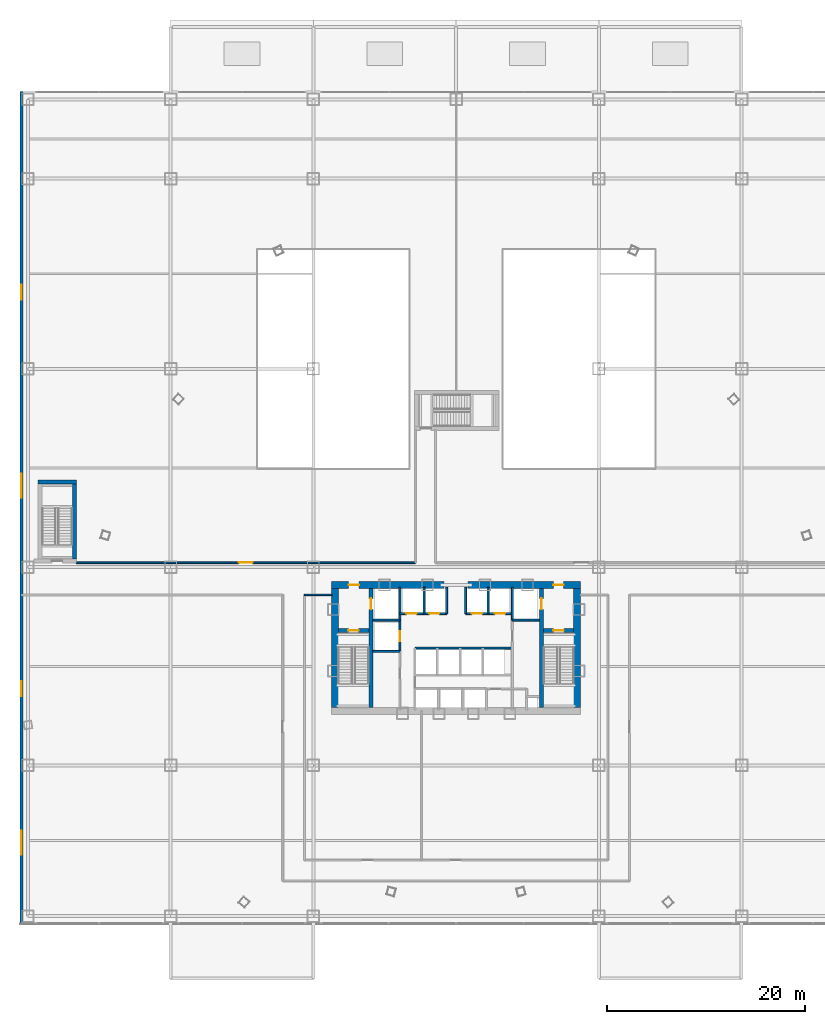
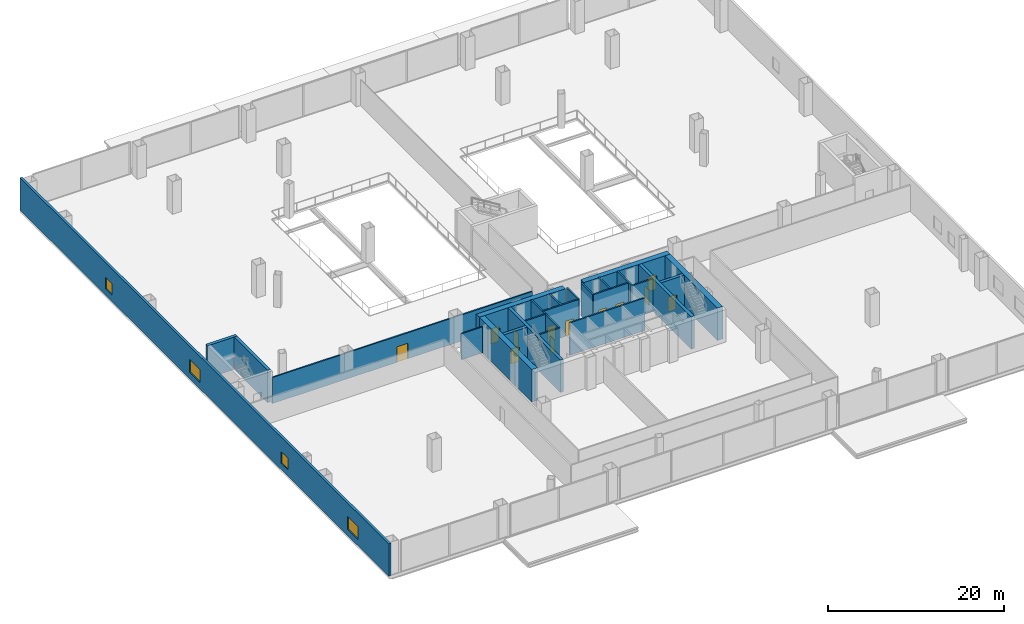
# One storey, part 34 of 42: 25 walls, 12 doors, 4 windows, 16 openings.
"""IFC4 building model written with IfcOpenShell, lengths in metres."""

import ifcopenshell
import ifcopenshell.guid

model = None  # the IFC model being written
_history = None  # IfcOwnerHistory: only IFC2X3 demands one
_inside = {}  # id of a spatial element -> (the spatial element, [elements in it])
_under = {}  # id of a project, library or spatial element -> (it, [spatial elements below it])
_declared = {}  # id of a project -> (the project, [libraries it declares])
_typed = {}  # id of a type object -> (the type object, [elements of that type])
_made_of = {}  # id of a material, layer set ... -> (it, [elements and type objects made of it])


def new_model(schema):
    """Start an empty IFC model of exactly this schema.

    Asked for "IFC4X3", IfcOpenShell would pick the latest addendum, in which some entities
    have other attributes; the version numbers below select the first issue.
    IFC2X3 requires an IfcOwnerHistory on every rooted entity: one is made here for all.
    """
    global model, _history
    if schema == "IFC4X3":
        model = ifcopenshell.file(schema_version=(4, 3, 0, 0))
    else:
        model = ifcopenshell.file(schema=schema)
    _inside.clear()
    _under.clear()
    _declared.clear()
    _typed.clear()
    _made_of.clear()
    _history = None
    if model.schema == "IFC2X3":
        org = make("IfcOrganization", Name="unknown")
        user = make(
            "IfcPersonAndOrganization",
            ThePerson=make("IfcPerson", FamilyName="unknown"),
            TheOrganization=org,
        )
        app = make(
            "IfcApplication",
            ApplicationDeveloper=org,
            Version="unknown",
            ApplicationFullName="unknown",
            ApplicationIdentifier="unknown",
        )
        _history = make(
            "IfcOwnerHistory",
            OwningUser=user,
            OwningApplication=app,
            ChangeAction="ADDED",
            CreationDate=0,
        )
    return model


def make(cls, **values):
    """One entity of the class cls with the attributes given. An attribute that is None is left unset."""
    return model.create_entity(
        cls, **{name: value for name, value in values.items() if value is not None}
    )


def rooted(cls, **values):
    """An entity with a GlobalId (a new one), such as an element, a storey or a relation."""
    return make(cls, GlobalId=ifcopenshell.guid.new(), OwnerHistory=_history, **values)


def si_unit(unit_type, name, prefix=None):
    """IfcSIUnit, for example si_unit("LENGTHUNIT", "METRE", prefix="MILLI")."""
    return make("IfcSIUnit", UnitType=unit_type, Prefix=prefix, Name=name)


def assignment(units):
    """IfcUnitAssignment: the units of a project."""
    return None if units is None else make("IfcUnitAssignment", Units=units)


def point(xyz):
    """IfcCartesianPoint."""
    return None if xyz is None else make("IfcCartesianPoint", Coordinates=xyz)


def direction(xyz):
    """IfcDirection."""
    return None if xyz is None else make("IfcDirection", DirectionRatios=xyz)


def frame(location, z_axis=None, x_axis=None):
    """IfcAxis2Placement3D, a coordinate frame: its origin and axes. An axis left out is left unset."""
    return make(
        "IfcAxis2Placement3D",
        Location=point(location),
        Axis=direction(z_axis),
        RefDirection=direction(x_axis),
    )


def frame_2d(location, x_axis=None):
    """IfcAxis2Placement2D, a coordinate frame in the plane: its origin and x axis."""
    return make(
        "IfcAxis2Placement2D", Location=point(location), RefDirection=direction(x_axis)
    )


def origin():
    """The frame at (0, 0, 0) with its axes left unset."""
    return frame((0.0, 0.0, 0.0))


def origin_with_axes():
    """The frame at (0, 0, 0) with the z axis (0, 0, 1) and the x axis (1, 0, 0) written out."""
    return frame((0.0, 0.0, 0.0), z_axis=(0.0, 0.0, 1.0), x_axis=(1.0, 0.0, 0.0))


def place(relative_to, where):
    """IfcLocalPlacement: puts the frame where relative to a parent placement (None: the world)."""
    return make(
        "IfcLocalPlacement", PlacementRelTo=relative_to, RelativePlacement=where
    )


def context(
    kind, dimensions, precision=None, world=None, true_north=None, identifier=None
):
    """IfcGeometricRepresentationContext, for example the 3D "Model" context."""
    return make(
        "IfcGeometricRepresentationContext",
        ContextIdentifier=identifier,
        ContextType=kind,
        CoordinateSpaceDimension=dimensions,
        Precision=precision,
        WorldCoordinateSystem=world,
        TrueNorth=true_north,
    )


def subcontext(parent, identifier, kind, view, scale=None):
    """IfcGeometricRepresentationSubContext, for example "Body" below "Model"."""
    return make(
        "IfcGeometricRepresentationSubContext",
        ContextIdentifier=identifier,
        ContextType=kind,
        ParentContext=parent,
        TargetScale=scale,
        TargetView=view,
    )


def project(units=None, contexts=None):
    """IfcProject with its units and contexts."""
    return rooted(
        "IfcProject",
        Name="project",
        RepresentationContexts=contexts,
        UnitsInContext=assignment(units),
    )


def spatial(cls, under=None, at=None, **own):
    """A site, building, storey or space (cls), placed at a placement, below another one or the project."""
    s = rooted(cls, ObjectPlacement=at, **own)
    if under is not None:
        _under.setdefault(under.id(), (under, []))[1].append(s)
    return s


def profile(cls, at=None, kind="AREA", **sizes):
    """A parametric profile (cls). Its sizes go by their IFC names, for example OverallWidth=200.0."""
    return make(cls, ProfileType=kind, Position=at, **sizes)


def rectangle(**sizes):
    """IfcRectangleProfileDef."""
    return profile("IfcRectangleProfileDef", **sizes)


def extrude(swept, where, along, depth):
    """IfcExtrudedAreaSolid: the profile swept, set in the frame where, extruded along a direction by depth."""
    return make(
        "IfcExtrudedAreaSolid",
        SweptArea=swept,
        Position=where,
        ExtrudedDirection=direction(along),
        Depth=depth,
    )


def shape(context_of_items, identifier, shape_type, items):
    """IfcShapeRepresentation: the items that make up one representation, for example the "Body"."""
    return make(
        "IfcShapeRepresentation",
        ContextOfItems=context_of_items,
        RepresentationIdentifier=identifier,
        RepresentationType=shape_type,
        Items=items,
    )


def source(mapping_origin, context_of_items, identifier, shape_type, items):
    """IfcRepresentationMap: a shape defined once, which mapped items show again and again."""
    return make(
        "IfcRepresentationMap",
        MappingOrigin=mapping_origin,
        MappedRepresentation=shape(context_of_items, identifier, shape_type, items),
    )


def transform(
    local_origin,
    x_axis=None,
    y_axis=None,
    z_axis=None,
    scale=None,
    scale2=None,
    scale3=None,
    uniform=True,
):
    """IfcCartesianTransformationOperator3D, or its non-uniform kind. x_axis, y_axis, z_axis: its Axis1, 2, 3."""
    if uniform:
        return make(
            "IfcCartesianTransformationOperator3D",
            Axis1=direction(x_axis),
            Axis2=direction(y_axis),
            LocalOrigin=point(local_origin),
            Scale=scale,
            Axis3=direction(z_axis),
        )
    return make(
        "IfcCartesianTransformationOperator3DnonUniform",
        Axis1=direction(x_axis),
        Axis2=direction(y_axis),
        LocalOrigin=point(local_origin),
        Scale=scale,
        Axis3=direction(z_axis),
        Scale2=scale2,
        Scale3=scale3,
    )


def mapped(mapping_source, mapping_target):
    """IfcMappedItem: shows the shape of a source again, moved by a transform."""
    return make(
        "IfcMappedItem", MappingSource=mapping_source, MappingTarget=mapping_target
    )


def material(Name=None, Category=None):
    """IfcMaterial."""
    return make("IfcMaterial", Name=Name, Category=Category)


def layer(
    of_material, thickness, ventilated=None, Name=None, Category=None, Priority=None
):
    """IfcMaterialLayer: one layer of a wall or slab, of a material (None: an air gap)."""
    return make(
        "IfcMaterialLayer",
        Material=of_material,
        LayerThickness=thickness,
        IsVentilated=ventilated,
        Name=Name,
        Category=Category,
        Priority=Priority,
    )


def layer_set(layers, Name=None):
    """IfcMaterialLayerSet."""
    return make("IfcMaterialLayerSet", MaterialLayers=layers, LayerSetName=Name)


def made_of(thing, what):
    """Note that an element or type object is made of a material, layer set ...; save() writes the relation."""
    if what is not None:
        _made_of.setdefault(what.id(), (what, []))[1].append(thing)
    return thing


def type_object(cls, material=None, **own):
    """A type object (cls), such as IfcWallType, which elements share."""
    return made_of(rooted(cls, **own), material)


def element(
    cls,
    number,
    at=None,
    inside=None,
    cuts=None,
    type_object=None,
    material=None,
    context=None,
    identifier="Body",
    shape_type=None,
    held_by="IfcProductDefinitionShape",
    body=None,
    shapes=None,
    **own,
):
    """One element of the class cls, such as IfcWall. Its Tag is "e" and its number.

    at: its placement. inside: the storey or other place that contains it. cuts: it is an
    opening in that element (IfcRelVoidsElement). A single representation is given by context,
    identifier, shape_type and body (its items); several are given by shapes. held_by: the class
    of the entity that holds the representations. save() writes the other relations.
    """
    e = rooted(cls, Tag="e%d" % number, ObjectPlacement=at, **own)
    if body is not None:
        shapes = [shape(context, identifier, shape_type, body)]
    if shapes is not None:
        e.Representation = make(held_by, Representations=shapes)
    if inside is not None:
        _inside.setdefault(inside.id(), (inside, []))[1].append(e)
    if cuts is not None:
        rooted(
            "IfcRelVoidsElement", RelatingBuildingElement=cuts, RelatedOpeningElement=e
        )
    if type_object is not None:
        _typed.setdefault(type_object.id(), (type_object, []))[1].append(e)
    return made_of(e, material)


def fill(opening, filler):
    """IfcRelFillsElement: the door or window that sits in an opening."""
    return rooted(
        "IfcRelFillsElement",
        RelatingOpeningElement=opening,
        RelatedBuildingElement=filler,
    )


def aggregate(whole, parts):
    """IfcRelAggregates: a whole, such as a stair, and the parts it consists of."""
    return rooted("IfcRelAggregates", RelatingObject=whole, RelatedObjects=parts)


def save(model, path):
    """Write the relations noted so far, then the file.

    IfcRelAggregates (storeys below a building ...), IfcRelContainedInSpatialStructure (elements
    in a storey), IfcRelDefinesByType, IfcRelAssociatesMaterial and IfcRelDeclares: one each for
    every whole, place, type object, material and project.
    """
    for whole, parts in _under.values():
        aggregate(whole, parts)
    for where, things in _inside.values():
        rooted(
            "IfcRelContainedInSpatialStructure",
            RelatedElements=things,
            RelatingStructure=where,
        )
    for kind, things in _typed.values():
        rooted("IfcRelDefinesByType", RelatedObjects=things, RelatingType=kind)
    for what, things in _made_of.values():
        rooted("IfcRelAssociatesMaterial", RelatedObjects=things, RelatingMaterial=what)
    for by, libraries in _declared.values():
        rooted("IfcRelDeclares", RelatingContext=by, RelatedDefinitions=libraries)
    model.write(path)


model = new_model("IFC4")

# Units and contexts
model_context = context("Model", 3, precision=1e-05, world=origin(), true_north=direction((0.0, 1.0)))
body_context = subcontext(model_context, "Body", "Model", "MODEL_VIEW")
ifc_project = project(units=[si_unit("LENGTHUNIT", "METRE"), si_unit("AREAUNIT", "SQUARE_METRE"), si_unit("VOLUMEUNIT", "CUBIC_METRE"), si_unit("PLANEANGLEUNIT", "RADIAN"), si_unit("MASSUNIT", "GRAM", prefix="KILO"), si_unit("THERMODYNAMICTEMPERATUREUNIT", "KELVIN"), si_unit("POWERUNIT", "WATT")], contexts=[model_context])

# Site, building, storey
site_placement = place(None, origin())
site = spatial("IfcSite", under=ifc_project, at=site_placement, CompositionType="ELEMENT")
building_placement = place(site_placement, origin())
building = spatial("IfcBuilding", under=site, at=building_placement, Name="Yunzhuo Pagoda Commons", CompositionType="ELEMENT")
storey_placement = place(building_placement, frame((0.0, 0.0, 4.800048828125)))
storey = spatial("IfcBuildingStorey", under=building, at=storey_placement, Name="L02", CompositionType="ELEMENT", Elevation=4.800048828125)

# Wall, opening, door
ifc_material_1 = material(Name="Concrete C60", Category="concrete")
ifc_layer_1 = layer(ifc_material_1, 0.699951171875)
ifc_layer_set_1 = layer_set([ifc_layer_1], Name="Concrete C60")
wall_type_1 = type_object("IfcWallType", Name="W-C01 Lower Core Shear Wall 700", PredefinedType="SHEAR", material=ifc_layer_set_1)
wall_1_placement = place(storey_placement, frame((35.449951171875, 40.199951171875, 0.0), z_axis=(0.0, 0.0, 1.0), x_axis=(1.0, 0.0, 0.0)))
wall_1 = element("IfcWall", 1, at=wall_1_placement, inside=storey, type_object=wall_type_1, Name="L02 core shear wall NW", PredefinedType="SHEAR", context=body_context, shape_type="SweptSolid", body=[
    extrude(rectangle(XDim=11.35009765625, YDim=0.699951171875, at=frame_2d((5.675048828125, 0.0))), origin(), (0.0, 0.0, 1.0), 4.52001953125),
])
opening_1_placement = place(wall_1_placement, frame((1.699951171875, 0.0, 0.0)))
opening_1 = element("IfcOpeningElement", 2, at=opening_1_placement, cuts=wall_1, Name="Opening D-02", PredefinedType="OPENING", context=body_context, shape_type="SweptSolid", body=[
    extrude(rectangle(XDim=1.050048828125, YDim=2.10009765625, at=frame_2d((0.52490234375, 1.050048828125))), frame((0.0, 0.35986328125, 0.0), z_axis=(0.0, -1.0, 0.0), x_axis=(1.0, 0.0, 0.0)), (0.0, 0.0, 1.0), 0.719970703125),
])
ifc_material_2 = material(Name="Galvanized fire-resisting metal leaf")
door_type_1 = type_object("IfcDoorType", Name="D-02 Firefighting Lobby & Refuge Fire Door 1050x2100", OperationType="NOTDEFINED", PredefinedType="DOOR", material=ifc_material_2)
shared_shape_1 = source(origin(), body_context, "Body", "SweptSolid", [
    extrude(rectangle(XDim=1.050048828125, YDim=2.10009765625, at=frame_2d((0.52490234375, 1.050048828125))), frame((0.0, 0.02490234375, 0.0), z_axis=(0.0, -1.0, 0.0), x_axis=(1.0, 0.0, 0.0)), (0.0, 0.0, 1.0), 0.050048828125),
])
door_1_placement = place(opening_1_placement, frame((1.050048828125, 0.0, 0.0), z_axis=(0.0, 0.0, 1.0), x_axis=(-1.0, 0.0, 0.0)))
door_1 = element("IfcDoor", 3, at=door_1_placement, inside=storey, type_object=door_type_1, Name="L02 Firefighting Lobby 1 fire door", OperationType="SINGLE_SWING_LEFT", OverallHeight=2.10009765625, OverallWidth=1.050048828125, PredefinedType="DOOR", context=body_context, shape_type="MappedRepresentation", body=[
    mapped(shared_shape_1, transform((0.0, 0.0, 0.0), scale=1.0)),
])
fill(opening_1, door_1)

wall_2_placement = place(storey_placement, frame((49.199951171875, 40.199951171875, 0.0), z_axis=(0.0, 0.0, 1.0), x_axis=(1.0, 0.0, 0.0)))
wall_2 = element("IfcWall", 4, at=wall_2_placement, inside=storey, type_object=wall_type_1, Name="L02 core shear wall NE", PredefinedType="SHEAR", context=body_context, shape_type="SweptSolid", body=[
    extrude(rectangle(XDim=11.35009765625, YDim=0.699951171875, at=frame_2d((5.675048828125, 0.0))), origin(), (0.0, 0.0, 1.0), 4.52001953125),
])
opening_2_placement = place(wall_2_placement, frame((8.60009765625, 0.0, 0.0)))
opening_2 = element("IfcOpeningElement", 5, at=opening_2_placement, cuts=wall_2, Name="Opening D-02", PredefinedType="OPENING", context=body_context, shape_type="SweptSolid", body=[
    extrude(rectangle(XDim=1.050048828125, YDim=2.10009765625, at=frame_2d((0.52490234375, 1.050048828125))), frame((0.0, 0.35986328125, 0.0), z_axis=(0.0, -1.0, 0.0), x_axis=(1.0, 0.0, 0.0)), (0.0, 0.0, 1.0), 0.719970703125),
])
door_2_placement = place(opening_2_placement, frame((1.050048828125, 0.0, 0.0), z_axis=(0.0, 0.0, 1.0), x_axis=(-1.0, 0.0, 0.0)))
door_2 = element("IfcDoor", 6, at=door_2_placement, inside=storey, type_object=door_type_1, Name="L02 Firefighting Lobby 2 fire door", OperationType="SINGLE_SWING_RIGHT", OverallHeight=2.10009765625, OverallWidth=1.050048828125, PredefinedType="DOOR", context=body_context, shape_type="MappedRepresentation", body=[
    mapped(shared_shape_1, transform((0.0, 0.0, 0.0), scale=1.0)),
])
fill(opening_2, door_2)

# Walls
for number, where, z_axis, x_axis, name in (
    (7, (35.800048828125, 27.85009765625, 0.0), (0.0, 0.0, 1.0), (0.0, 1.0, 0.0), "L02 core shear wall W"),
    (8, (60.199951171875, 27.85009765625, 0.0), (0.0, 0.0, 1.0), (0.0, 1.0, 0.0), "L02 core shear wall E"),
):
    element("IfcWall", number, at=place(storey_placement, frame(where, z_axis=z_axis, x_axis=x_axis)), inside=storey, type_object=wall_type_1, Name=name, PredefinedType="SHEAR", context=body_context, shape_type="SweptSolid", body=[
        extrude(rectangle(XDim=12.0, YDim=0.699951171875, at=frame_2d((6.0, 0.0))), origin(), (0.0, 0.0, 1.0), 4.52001953125),
    ])
ifc_material_3 = material(Name="Gypsum plasterboard on acoustic stud")
ifc_layer_2 = layer(ifc_material_3, 0.159912109375)
ifc_layer_set_2 = layer_set([ifc_layer_2], Name="Gypsum plasterboard on acoustic stud")
wall_type_2 = type_object("IfcWallType", Name="W-COR1 Tower Rated Corridor Wall 160", PredefinedType="PARTITIONING", material=ifc_layer_set_2)
wall_3_placement = place(storey_placement, frame((32.699951171875, 39.199951171875, 0.0), z_axis=(0.0, 0.0, 1.0), x_axis=(1.0, 0.0, 0.0)))
element("IfcWall", 9, at=wall_3_placement, inside=storey, type_object=wall_type_2, Name="L02 interior wall IW-L02-PSMNW", PredefinedType="PARTITIONING", context=body_context, shape_type="SweptSolid", body=[
    extrude(rectangle(XDim=2.800048828125, YDim=0.159912109375, at=frame_2d((1.39990234375, 0.0))), origin(), (0.0, 0.0, 1.0), 3.619873046875),
])

# Wall, openings, windows
ifc_material_4 = material(Name="Precast concrete C40", Category="concrete")
ifc_layer_3 = layer(ifc_material_4, 0.300048828125)
ifc_layer_set_3 = layer_set([ifc_layer_3], Name="Precast concrete C40")
wall_type_3 = type_object("IfcWallType", Name="W-EXT1 Podium Precast Spandrel Wall 300", PredefinedType="STANDARD", material=ifc_layer_set_3)
wall_4_placement = place(storey_placement, frame((4.14990234375, 6.0, 0.0), z_axis=(0.0, 0.0, 1.0), x_axis=(0.0, 1.0, 0.0)))
wall_4 = element("IfcWall", 10, at=wall_4_placement, inside=storey, type_object=wall_type_3, Name="L02 W precast spandrel wall", PredefinedType="STANDARD", context=body_context, shape_type="SweptSolid", body=[
    extrude(rectangle(XDim=84.0, YDim=0.300048828125, at=frame_2d((42.0, 0.0))), origin(), (0.0, 0.0, 1.0), 4.52001953125),
])
opening_3_placement = place(wall_4_placement, frame((7.0, 0.0, 0.89990234375)))
opening_3 = element("IfcOpeningElement", 11, at=opening_3_placement, cuts=wall_4, Name="Opening W-01", PredefinedType="OPENING", context=body_context, shape_type="SweptSolid", body=[
    extrude(rectangle(XDim=2.39990234375, YDim=1.800048828125, at=frame_2d((1.199951171875, 0.89990234375))), frame((0.0, 0.16015625, 0.0), z_axis=(0.0, -1.0, 0.0), x_axis=(1.0, 0.0, 0.0)), (0.0, 0.0, 1.0), 0.320068359375),
])
opening_4_placement = place(wall_4_placement, frame((23.0, 0.0, 0.89990234375)))
opening_4 = element("IfcOpeningElement", 12, at=opening_4_placement, cuts=wall_4, Name="Opening W-02", PredefinedType="OPENING", context=body_context, shape_type="SweptSolid", body=[
    extrude(rectangle(XDim=1.5, YDim=1.60009765625, at=frame_2d((0.75, 0.800048828125))), frame((0.0, 0.16015625, 0.0), z_axis=(0.0, -1.0, 0.0), x_axis=(1.0, 0.0, 0.0)), (0.0, 0.0, 1.0), 0.320068359375),
])
opening_5_placement = place(wall_4_placement, frame((43.0, 0.0, 0.89990234375)))
opening_5 = element("IfcOpeningElement", 13, at=opening_5_placement, cuts=wall_4, Name="Opening W-01", PredefinedType="OPENING", context=body_context, shape_type="SweptSolid", body=[
    extrude(rectangle(XDim=2.39990234375, YDim=1.800048828125, at=frame_2d((1.199951171875, 0.89990234375))), frame((0.0, 0.16015625, 0.0), z_axis=(0.0, -1.0, 0.0), x_axis=(1.0, 0.0, 0.0)), (0.0, 0.0, 1.0), 0.320068359375),
])
opening_6_placement = place(wall_4_placement, frame((63.0, 0.0, 0.89990234375)))
opening_6 = element("IfcOpeningElement", 14, at=opening_6_placement, cuts=wall_4, Name="Opening W-02", PredefinedType="OPENING", context=body_context, shape_type="SweptSolid", body=[
    extrude(rectangle(XDim=1.5, YDim=1.60009765625, at=frame_2d((0.75, 0.800048828125))), frame((0.0, 0.16015625, 0.0), z_axis=(0.0, -1.0, 0.0), x_axis=(1.0, 0.0, 0.0)), (0.0, 0.0, 1.0), 0.320068359375),
])
ifc_material_5 = material(Name="Tempered low-e double glazing", Category="glass")
window_type_1 = type_object("IfcWindowType", Name="W-01 Podium Fixed Ribbon Window 2400x1800", PartitioningType="DOUBLE_PANEL_VERTICAL", PredefinedType="WINDOW", material=ifc_material_5)
shared_shape_2 = source(origin(), body_context, "Body", "SweptSolid", [
    extrude(rectangle(XDim=2.39990234375, YDim=1.800048828125, at=frame_2d((1.199951171875, 0.89990234375))), frame((0.0, 0.030029296875, 0.0), z_axis=(0.0, -1.0, 0.0), x_axis=(1.0, 0.0, 0.0)), (0.0, 0.0, 1.0), 0.06005859375),
])
window_1_placement = place(opening_3_placement, origin_with_axes())
window_1 = element("IfcWindow", 15, at=window_1_placement, inside=storey, type_object=window_type_1, Name="L02 W window 1", OverallHeight=1.800048828125, OverallWidth=2.39990234375, PartitioningType="SINGLE_PANEL", PredefinedType="WINDOW", context=body_context, shape_type="MappedRepresentation", body=[
    mapped(shared_shape_2, transform((0.0, 0.0, 0.0), scale=1.0)),
])
fill(opening_3, window_1)
window_2_placement = place(opening_5_placement, origin_with_axes())
window_2 = element("IfcWindow", 16, at=window_2_placement, inside=storey, type_object=window_type_1, Name="L02 W window 3", OverallHeight=1.800048828125, OverallWidth=2.39990234375, PartitioningType="SINGLE_PANEL", PredefinedType="WINDOW", context=body_context, shape_type="MappedRepresentation", body=[
    mapped(shared_shape_2, transform((0.0, 0.0, 0.0), scale=1.0)),
])
fill(opening_5, window_2)
window_type_2 = type_object("IfcWindowType", Name="W-02 Podium Casement Window 1500x1600", PartitioningType="SINGLE_PANEL", PredefinedType="WINDOW", material=ifc_material_5)
shared_shape_3 = source(origin(), body_context, "Body", "SweptSolid", [
    extrude(rectangle(XDim=1.5, YDim=1.60009765625, at=frame_2d((0.75, 0.800048828125))), frame((0.0, 0.030029296875, 0.0), z_axis=(0.0, -1.0, 0.0), x_axis=(1.0, 0.0, 0.0)), (0.0, 0.0, 1.0), 0.06005859375),
])
window_3_placement = place(opening_4_placement, origin_with_axes())
window_3 = element("IfcWindow", 17, at=window_3_placement, inside=storey, type_object=window_type_2, Name="L02 W window 2", OverallHeight=1.60009765625, OverallWidth=1.5, PartitioningType="SINGLE_PANEL", PredefinedType="WINDOW", context=body_context, shape_type="MappedRepresentation", body=[
    mapped(shared_shape_3, transform((0.0, 0.0, 0.0), scale=1.0)),
])
fill(opening_4, window_3)
window_4_placement = place(opening_6_placement, origin_with_axes())
window_4 = element("IfcWindow", 18, at=window_4_placement, inside=storey, type_object=window_type_2, Name="L02 W window 4", OverallHeight=1.60009765625, OverallWidth=1.5, PartitioningType="SINGLE_PANEL", PredefinedType="WINDOW", context=body_context, shape_type="MappedRepresentation", body=[
    mapped(shared_shape_3, transform((0.0, 0.0, 0.0), scale=1.0)),
])
fill(opening_6, window_4)

# Wall, opening, door
ifc_layer_4 = layer(ifc_material_3, 0.179931640625)
ifc_layer_set_4 = layer_set([ifc_layer_4], Name="Gypsum plasterboard on acoustic stud")
wall_type_4 = type_object("IfcWallType", Name="W-PRT2 Acoustic Unit Demising Wall 180", PredefinedType="PARTITIONING", material=ifc_layer_set_4)
wall_5_placement = place(storey_placement, frame((9.699951171875, 42.449951171875, 0.0), z_axis=(0.0, 0.0, 1.0), x_axis=(1.0, 0.0, 0.0)))
wall_5 = element("IfcWall", 19, at=wall_5_placement, inside=storey, type_object=wall_type_4, Name="L02 interior wall IW-L02-PNWW", PredefinedType="PARTITIONING", context=body_context, shape_type="SweptSolid", body=[
    extrude(rectangle(XDim=34.179931640625, YDim=0.179931640625, at=frame_2d((17.08984375, 0.0))), origin(), (0.0, 0.0, 1.0), 3.619873046875),
])
opening_7_placement = place(wall_5_placement, frame((16.389892578125, 0.0, 0.0)))
opening_7 = element("IfcOpeningElement", 20, at=opening_7_placement, cuts=wall_5, Name="Opening D-10", PredefinedType="OPENING", context=body_context, shape_type="SweptSolid", body=[
    extrude(rectangle(XDim=1.39990234375, YDim=2.14990234375, at=frame_2d((0.699951171875, 1.074951171875))), frame((0.0, 0.10009765625, 0.0), z_axis=(0.0, -1.0, 0.0), x_axis=(1.0, 0.0, 0.0)), (0.0, 0.0, 1.0), 0.199951171875),
])
door_type_2 = type_object("IfcDoorType", Name="D-10 Podium Dining & Library Double Leaf Door 1400x2150", OperationType="NOTDEFINED", PredefinedType="DOOR", material=ifc_material_2)
shared_shape_4 = source(origin(), body_context, "Body", "SweptSolid", [
    extrude(rectangle(XDim=1.39990234375, YDim=2.14990234375, at=frame_2d((0.699951171875, 1.074951171875))), frame((0.0, 0.02490234375, 0.0), z_axis=(0.0, -1.0, 0.0), x_axis=(1.0, 0.0, 0.0)), (0.0, 0.0, 1.0), 0.050048828125),
])
door_3_placement = place(opening_7_placement, origin_with_axes())
door_3 = element("IfcDoor", 21, at=door_3_placement, inside=storey, type_object=door_type_2, Name="L02 Campus Co-Working Study Commons door W", OperationType="SINGLE_SWING_LEFT", OverallHeight=2.14990234375, OverallWidth=1.39990234375, PredefinedType="DOOR", context=body_context, shape_type="MappedRepresentation", body=[
    mapped(shared_shape_4, transform((0.0, 0.0, 0.0), scale=1.0)),
])
fill(opening_7, door_3)

ifc_layer_5 = layer(ifc_material_1, 0.39990234375)
ifc_layer_set_5 = layer_set([ifc_layer_5], Name="Concrete C60")
wall_type_5 = type_object("IfcWallType", Name="W-S01 Internal Core Shear Web 400", PredefinedType="SHEAR", material=ifc_layer_set_5)
wall_6_placement = place(storey_placement, frame((39.39990234375, 27.85009765625, 0.0), z_axis=(0.0, 0.0, 1.0), x_axis=(0.0, 1.0, 0.0)))
wall_6 = element("IfcWall", 22, at=wall_6_placement, inside=storey, type_object=wall_type_5, Name="L02 core shear wall WEBW", PredefinedType="SHEAR", context=body_context, shape_type="SweptSolid", body=[
    extrude(rectangle(XDim=12.0, YDim=0.39990234375, at=frame_2d((6.0, 0.0))), origin(), (0.0, 0.0, 1.0), 4.52001953125),
])
opening_8_placement = place(wall_6_placement, frame((9.89990234375, 0.0, 0.0)))
opening_8 = element("IfcOpeningElement", 23, at=opening_8_placement, cuts=wall_6, Name="Opening LD-01", PredefinedType="OPENING", context=body_context, shape_type="SweptSolid", body=[
    extrude(rectangle(XDim=1.10009765625, YDim=2.10009765625, at=frame_2d((0.550048828125, 1.050048828125))), frame((0.0, 0.2099609375, 0.0), z_axis=(0.0, -1.0, 0.0), x_axis=(1.0, 0.0, 0.0)), (0.0, 0.0, 1.0), 0.419921875),
])
door_type_3 = type_object("IfcDoorType", Name="LD-01 Firefighting Lift Landing Door 1100x2100", OperationType="DOUBLE_DOOR_SLIDING", PredefinedType="DOOR", material=ifc_material_2)
shared_shape_5 = source(origin(), body_context, "Body", "SweptSolid", [
    extrude(rectangle(XDim=1.10009765625, YDim=2.10009765625, at=frame_2d((0.550048828125, 1.050048828125))), frame((0.0, 0.02490234375, 0.0), z_axis=(0.0, -1.0, 0.0), x_axis=(1.0, 0.0, 0.0)), (0.0, 0.0, 1.0), 0.050048828125),
])
door_4_placement = place(opening_8_placement, frame((1.10009765625, 0.0, 0.0), z_axis=(0.0, 0.0, 1.0), x_axis=(-1.0, 0.0, 0.0)))
door_4 = element("IfcDoor", 24, at=door_4_placement, inside=storey, type_object=door_type_3, Name="L02 Firefighting lift FL-1 landing door", OperationType="DOUBLE_DOOR_SLIDING", OverallHeight=2.10009765625, OverallWidth=1.10009765625, PredefinedType="DOOR", context=body_context, shape_type="MappedRepresentation", body=[
    mapped(shared_shape_5, transform((0.0, 0.0, 0.0), scale=1.0)),
])
fill(opening_8, door_4)

wall_7_placement = place(storey_placement, frame((56.60009765625, 27.85009765625, 0.0), z_axis=(0.0, 0.0, 1.0), x_axis=(0.0, 1.0, 0.0)))
wall_7 = element("IfcWall", 25, at=wall_7_placement, inside=storey, type_object=wall_type_5, Name="L02 core shear wall WEBE", PredefinedType="SHEAR", context=body_context, shape_type="SweptSolid", body=[
    extrude(rectangle(XDim=12.0, YDim=0.39990234375, at=frame_2d((6.0, 0.0))), origin(), (0.0, 0.0, 1.0), 4.52001953125),
])
opening_9_placement = place(wall_7_placement, frame((9.89990234375, 0.0, 0.0)))
opening_9 = element("IfcOpeningElement", 26, at=opening_9_placement, cuts=wall_7, Name="Opening LD-01", PredefinedType="OPENING", context=body_context, shape_type="SweptSolid", body=[
    extrude(rectangle(XDim=1.10009765625, YDim=2.10009765625, at=frame_2d((0.550048828125, 1.050048828125))), frame((0.0, 0.2099609375, 0.0), z_axis=(0.0, -1.0, 0.0), x_axis=(1.0, 0.0, 0.0)), (0.0, 0.0, 1.0), 0.419921875),
])
door_5_placement = place(opening_9_placement, origin_with_axes())
door_5 = element("IfcDoor", 27, at=door_5_placement, inside=storey, type_object=door_type_3, Name="L02 Firefighting lift FL-2 landing door", OperationType="DOUBLE_DOOR_SLIDING", OverallHeight=2.10009765625, OverallWidth=1.10009765625, PredefinedType="DOOR", context=body_context, shape_type="MappedRepresentation", body=[
    mapped(shared_shape_5, transform((0.0, 0.0, 0.0), scale=1.0)),
])
fill(opening_9, door_5)

wall_8_placement = place(storey_placement, frame((36.14990234375, 35.60009765625, 0.0), z_axis=(0.0, 0.0, 1.0), x_axis=(1.0, 0.0, 0.0)))
wall_8 = element("IfcWall", 28, at=wall_8_placement, inside=storey, type_object=wall_type_5, Name="L02 core shear wall STW", PredefinedType="SHEAR", context=body_context, shape_type="SweptSolid", body=[
    extrude(rectangle(XDim=3.050048828125, YDim=0.39990234375, at=frame_2d((1.52490234375, 0.0))), origin(), (0.0, 0.0, 1.0), 4.52001953125),
])
opening_10_placement = place(wall_8_placement, frame((0.969970703125, 0.0, 0.0)))
opening_10 = element("IfcOpeningElement", 29, at=opening_10_placement, cuts=wall_8, Name="Opening D-01", PredefinedType="OPENING", context=body_context, shape_type="SweptSolid", body=[
    extrude(rectangle(XDim=1.050048828125, YDim=2.10009765625, at=frame_2d((0.52490234375, 1.050048828125))), frame((0.0, 0.2099609375, 0.0), z_axis=(0.0, -1.0, 0.0), x_axis=(1.0, 0.0, 0.0)), (0.0, 0.0, 1.0), 0.419921875),
])
door_type_4 = type_object("IfcDoorType", Name="D-01 Smokeproof Stair Fire Door 1050x2100", OperationType="NOTDEFINED", PredefinedType="DOOR", material=ifc_material_2)
door_6_placement = place(opening_10_placement, frame((1.050048828125, 0.0, 0.0), z_axis=(0.0, 0.0, 1.0), x_axis=(-1.0, 0.0, 0.0)))
door_6 = element("IfcDoor", 30, at=door_6_placement, inside=storey, type_object=door_type_4, Name="L02 Stair ST1 fire door", OperationType="SINGLE_SWING_LEFT", OverallHeight=2.10009765625, OverallWidth=1.050048828125, PredefinedType="DOOR", context=body_context, shape_type="MappedRepresentation", body=[
    mapped(shared_shape_1, transform((0.0, 0.0, 0.0), scale=1.0)),
])
fill(opening_10, door_6)

wall_9_placement = place(storey_placement, frame((56.800048828125, 35.60009765625, 0.0), z_axis=(0.0, 0.0, 1.0), x_axis=(1.0, 0.0, 0.0)))
wall_9 = element("IfcWall", 31, at=wall_9_placement, inside=storey, type_object=wall_type_5, Name="L02 core shear wall STE", PredefinedType="SHEAR", context=body_context, shape_type="SweptSolid", body=[
    extrude(rectangle(XDim=3.050048828125, YDim=0.39990234375, at=frame_2d((1.52490234375, 0.0))), origin(), (0.0, 0.0, 1.0), 4.52001953125),
])
opening_11_placement = place(wall_9_placement, frame((1.02001953125, 0.0, 0.0)))
opening_11 = element("IfcOpeningElement", 32, at=opening_11_placement, cuts=wall_9, Name="Opening D-01", PredefinedType="OPENING", context=body_context, shape_type="SweptSolid", body=[
    extrude(rectangle(XDim=1.050048828125, YDim=2.10009765625, at=frame_2d((0.52490234375, 1.050048828125))), frame((0.0, 0.2099609375, 0.0), z_axis=(0.0, -1.0, 0.0), x_axis=(1.0, 0.0, 0.0)), (0.0, 0.0, 1.0), 0.419921875),
])
door_7_placement = place(opening_11_placement, frame((1.050048828125, 0.0, 0.0), z_axis=(0.0, 0.0, 1.0), x_axis=(-1.0, 0.0, 0.0)))
door_7 = element("IfcDoor", 33, at=door_7_placement, inside=storey, type_object=door_type_4, Name="L02 Stair ST2 fire door", OperationType="SINGLE_SWING_RIGHT", OverallHeight=2.10009765625, OverallWidth=1.050048828125, PredefinedType="DOOR", context=body_context, shape_type="MappedRepresentation", body=[
    mapped(shared_shape_1, transform((0.0, 0.0, 0.0), scale=1.0)),
])
fill(opening_11, door_7)

# Walls
wall_10_placement = place(storey_placement, frame((5.800048828125, 50.60009765625, 0.0), z_axis=(0.0, 0.0, 1.0), x_axis=(1.0, 0.0, 0.0)))
element("IfcWall", 34, at=wall_10_placement, inside=storey, type_object=wall_type_5, Name="L02 PS3 structural stair wall N", PredefinedType="SHEAR", context=body_context, shape_type="SweptSolid", body=[
    extrude(rectangle(XDim=3.89990234375, YDim=0.39990234375, at=frame_2d((1.949951171875, 0.0))), origin(), (0.0, 0.0, 1.0), 4.52001953125),
])
wall_11_placement = place(storey_placement, frame((9.5, 42.800048828125, 0.0), z_axis=(0.0, 0.0, 1.0), x_axis=(0.0, 1.0, 0.0)))
element("IfcWall", 35, at=wall_11_placement, inside=storey, type_object=wall_type_5, Name="L02 PS3 structural stair wall E", PredefinedType="SHEAR", context=body_context, shape_type="SweptSolid", body=[
    extrude(rectangle(XDim=7.599853515625, YDim=0.39990234375, at=frame_2d((3.7998046875, 0.0))), origin(), (0.0, 0.0, 1.0), 4.52001953125),
])

# Wall, opening, door
ifc_material_6 = material(Name="Concrete C40", Category="concrete")
ifc_layer_6 = layer(ifc_material_6, 0.199951171875)
ifc_layer_set_6 = layer_set([ifc_layer_6], Name="Concrete C40")
wall_type_6 = type_object("IfcWallType", Name="W-SHF Shaft & Stair Enclosure Wall 200", PredefinedType="SOLIDWALL", material=ifc_layer_set_6)
wall_12_placement = place(storey_placement, frame((42.320068359375, 33.5, 0.0), z_axis=(0.0, 0.0, 1.0), x_axis=(0.0, 1.0, 0.0)))
wall_12 = element("IfcWall", 36, at=wall_12_placement, inside=storey, type_object=wall_type_6, Name="L02 interior wall IW-L02-FL1E", PredefinedType="SOLIDWALL", context=body_context, shape_type="SweptSolid", body=[
    extrude(rectangle(XDim=6.449951171875, YDim=0.199951171875, at=frame_2d((3.22509765625, 0.0))), origin(), (0.0, 0.0, 1.0), 4.52001953125),
])
opening_12_placement = place(wall_12_placement, frame((1.0, 0.0, 0.0)))
opening_12 = element("IfcOpeningElement", 37, at=opening_12_placement, cuts=wall_12, Name="Opening LD-02", PredefinedType="OPENING", context=body_context, shape_type="SweptSolid", body=[
    extrude(rectangle(XDim=1.050048828125, YDim=2.10009765625, at=frame_2d((0.52490234375, 1.050048828125))), frame((0.0, 0.10986328125, 0.0), z_axis=(0.0, -1.0, 0.0), x_axis=(1.0, 0.0, 0.0)), (0.0, 0.0, 1.0), 0.219970703125),
])
door_type_5 = type_object("IfcDoorType", Name="LD-02 Passenger Lift Landing Door 1050x2100", OperationType="DOUBLE_DOOR_SLIDING", PredefinedType="DOOR", material=ifc_material_2)
door_8_placement = place(opening_12_placement, origin_with_axes())
door_8 = element("IfcDoor", 38, at=door_8_placement, inside=storey, type_object=door_type_5, Name="L02 Service lift SL-1 landing door", OperationType="DOUBLE_DOOR_SLIDING", OverallHeight=2.10009765625, OverallWidth=1.050048828125, PredefinedType="DOOR", context=body_context, shape_type="MappedRepresentation", body=[
    mapped(shared_shape_1, transform((0.0, 0.0, 0.0), scale=1.0)),
])
fill(opening_12, door_8)

# Walls
for number, where, z_axis, x_axis, name in (
    (39, (39.60009765625, 36.64990234375, 0.0), (0.0, 0.0, 1.0), (1.0, 0.0, 0.0), "L02 interior wall IW-L02-FL1S"),
    (40, (39.60009765625, 33.5, 0.0), (0.0, 0.0, 1.0), (1.0, 0.0, 0.0), "L02 interior wall IW-L02-SL1S"),
):
    element("IfcWall", number, at=place(storey_placement, frame(where, z_axis=z_axis, x_axis=x_axis)), inside=storey, type_object=wall_type_6, Name=name, PredefinedType="SOLIDWALL", context=body_context, shape_type="SweptSolid", body=[
        extrude(rectangle(XDim=2.719970703125, YDim=0.199951171875, at=frame_2d((1.35986328125, 0.0))), origin(), (0.0, 0.0, 1.0), 4.52001953125),
    ])
wall_13_placement = place(storey_placement, frame((53.679931640625, 36.64990234375, 0.0), z_axis=(0.0, 0.0, 1.0), x_axis=(0.0, 1.0, 0.0)))
element("IfcWall", 41, at=wall_13_placement, inside=storey, type_object=wall_type_6, Name="L02 interior wall IW-L02-FL2W", PredefinedType="SOLIDWALL", context=body_context, shape_type="SweptSolid", body=[
    extrude(rectangle(XDim=3.300048828125, YDim=0.199951171875, at=frame_2d((1.64990234375, 0.0))), origin(), (0.0, 0.0, 1.0), 4.52001953125),
])
wall_14_placement = place(storey_placement, frame((53.679931640625, 36.64990234375, 0.0), z_axis=(0.0, 0.0, 1.0), x_axis=(1.0, 0.0, 0.0)))
element("IfcWall", 42, at=wall_14_placement, inside=storey, type_object=wall_type_6, Name="L02 interior wall IW-L02-FL2S", PredefinedType="SOLIDWALL", context=body_context, shape_type="SweptSolid", body=[
    extrude(rectangle(XDim=2.719970703125, YDim=0.199951171875, at=frame_2d((1.35986328125, 0.0))), origin(), (0.0, 0.0, 1.0), 4.52001953125),
])

# Wall, openings, doors
wall_15_placement = place(storey_placement, frame((42.320068359375, 37.320068359375, 0.0), z_axis=(0.0, 0.0, 1.0), x_axis=(1.0, 0.0, 0.0)))
wall_15 = element("IfcWall", 43, at=wall_15_placement, inside=storey, type_object=wall_type_6, Name="L02 interior wall IW-L02-LBNW", PredefinedType="SOLIDWALL", context=body_context, shape_type="SweptSolid", body=[
    extrude(rectangle(XDim=4.72998046875, YDim=0.199951171875, at=frame_2d((2.364990234375, 0.0))), origin(), (0.0, 0.0, 1.0), 4.52001953125),
])
opening_13_placement = place(wall_15_placement, frame((0.64990234375, 0.0, 0.0)))
opening_13 = element("IfcOpeningElement", 44, at=opening_13_placement, cuts=wall_15, Name="Opening LD-02", PredefinedType="OPENING", context=body_context, shape_type="SweptSolid", body=[
    extrude(rectangle(XDim=1.050048828125, YDim=2.10009765625, at=frame_2d((0.52490234375, 1.050048828125))), frame((0.0, 0.10986328125, 0.0), z_axis=(0.0, -1.0, 0.0), x_axis=(1.0, 0.0, 0.0)), (0.0, 0.0, 1.0), 0.219970703125),
])
opening_14_placement = place(wall_15_placement, frame((2.949951171875, 0.0, 0.0)))
opening_14 = element("IfcOpeningElement", 45, at=opening_14_placement, cuts=wall_15, Name="Opening LD-02", PredefinedType="OPENING", context=body_context, shape_type="SweptSolid", body=[
    extrude(rectangle(XDim=1.050048828125, YDim=2.10009765625, at=frame_2d((0.52490234375, 1.050048828125))), frame((0.0, 0.10986328125, 0.0), z_axis=(0.0, -1.0, 0.0), x_axis=(1.0, 0.0, 0.0)), (0.0, 0.0, 1.0), 0.219970703125),
])
door_9_placement = place(opening_13_placement, frame((1.050048828125, 0.0, 0.0), z_axis=(0.0, 0.0, 1.0), x_axis=(-1.0, 0.0, 0.0)))
door_9 = element("IfcDoor", 46, at=door_9_placement, inside=storey, type_object=door_type_5, Name="L02 Passenger lift PL-L1 landing door", OperationType="DOUBLE_DOOR_SLIDING", OverallHeight=2.10009765625, OverallWidth=1.050048828125, PredefinedType="DOOR", context=body_context, shape_type="MappedRepresentation", body=[
    mapped(shared_shape_1, transform((0.0, 0.0, 0.0), scale=1.0)),
])
fill(opening_13, door_9)
door_10_placement = place(opening_14_placement, frame((1.050048828125, 0.0, 0.0), z_axis=(0.0, 0.0, 1.0), x_axis=(-1.0, 0.0, 0.0)))
door_10 = element("IfcDoor", 47, at=door_10_placement, inside=storey, type_object=door_type_5, Name="L02 Passenger lift PL-L2 landing door", OperationType="DOUBLE_DOOR_SLIDING", OverallHeight=2.10009765625, OverallWidth=1.050048828125, PredefinedType="DOOR", context=body_context, shape_type="MappedRepresentation", body=[
    mapped(shared_shape_1, transform((0.0, 0.0, 0.0), scale=1.0)),
])
fill(opening_14, door_10)

wall_16_placement = place(storey_placement, frame((48.949951171875, 37.320068359375, 0.0), z_axis=(0.0, 0.0, 1.0), x_axis=(1.0, 0.0, 0.0)))
wall_16 = element("IfcWall", 48, at=wall_16_placement, inside=storey, type_object=wall_type_6, Name="L02 interior wall IW-L02-LBNE", PredefinedType="SOLIDWALL", context=body_context, shape_type="SweptSolid", body=[
    extrude(rectangle(XDim=4.72998046875, YDim=0.199951171875, at=frame_2d((2.364990234375, 0.0))), origin(), (0.0, 0.0, 1.0), 4.52001953125),
])
opening_15_placement = place(wall_16_placement, frame((0.64990234375, 0.0, 0.0)))
opening_15 = element("IfcOpeningElement", 49, at=opening_15_placement, cuts=wall_16, Name="Opening LD-02", PredefinedType="OPENING", context=body_context, shape_type="SweptSolid", body=[
    extrude(rectangle(XDim=1.050048828125, YDim=2.10009765625, at=frame_2d((0.52490234375, 1.050048828125))), frame((0.0, 0.10986328125, 0.0), z_axis=(0.0, -1.0, 0.0), x_axis=(1.0, 0.0, 0.0)), (0.0, 0.0, 1.0), 0.219970703125),
])
opening_16_placement = place(wall_16_placement, frame((2.949951171875, 0.0, 0.0)))
opening_16 = element("IfcOpeningElement", 50, at=opening_16_placement, cuts=wall_16, Name="Opening LD-02", PredefinedType="OPENING", context=body_context, shape_type="SweptSolid", body=[
    extrude(rectangle(XDim=1.050048828125, YDim=2.10009765625, at=frame_2d((0.52490234375, 1.050048828125))), frame((0.0, 0.10986328125, 0.0), z_axis=(0.0, -1.0, 0.0), x_axis=(1.0, 0.0, 0.0)), (0.0, 0.0, 1.0), 0.219970703125),
])
door_11_placement = place(opening_15_placement, frame((1.050048828125, 0.0, 0.0), z_axis=(0.0, 0.0, 1.0), x_axis=(-1.0, 0.0, 0.0)))
door_11 = element("IfcDoor", 51, at=door_11_placement, inside=storey, type_object=door_type_5, Name="L02 Passenger lift PL-L3 landing door", OperationType="DOUBLE_DOOR_SLIDING", OverallHeight=2.10009765625, OverallWidth=1.050048828125, PredefinedType="DOOR", context=body_context, shape_type="MappedRepresentation", body=[
    mapped(shared_shape_1, transform((0.0, 0.0, 0.0), scale=1.0)),
])
fill(opening_15, door_11)
door_12_placement = place(opening_16_placement, frame((1.050048828125, 0.0, 0.0), z_axis=(0.0, 0.0, 1.0), x_axis=(-1.0, 0.0, 0.0)))
door_12 = element("IfcDoor", 52, at=door_12_placement, inside=storey, type_object=door_type_5, Name="L02 Passenger lift PL-L4 landing door", OperationType="DOUBLE_DOOR_SLIDING", OverallHeight=2.10009765625, OverallWidth=1.050048828125, PredefinedType="DOOR", context=body_context, shape_type="MappedRepresentation", body=[
    mapped(shared_shape_1, transform((0.0, 0.0, 0.0), scale=1.0)),
])
fill(opening_16, door_12)

# Walls
for number, where, z_axis, x_axis, name in (
    (53, (47.050048828125, 37.320068359375, 0.0), (0.0, 0.0, 1.0), (0.0, 1.0, 0.0), "L02 interior wall IW-L02-THRW"),
    (54, (48.949951171875, 37.320068359375, 0.0), (0.0, 0.0, 1.0), (0.0, 1.0, 0.0), "L02 interior wall IW-L02-THRE"),
    (55, (44.77001953125, 37.320068359375, 0.0), (0.0, 0.0, 1.0), (0.0, 1.0, 0.0), "L02 interior wall IW-L02-PLL12"),
    (56, (51.22998046875, 37.320068359375, 0.0), (0.0, 0.0, 1.0), (0.0, 1.0, 0.0), "L02 interior wall IW-L02-PLL34"),
):
    element("IfcWall", number, at=place(storey_placement, frame(where, z_axis=z_axis, x_axis=x_axis)), inside=storey, type_object=wall_type_6, Name=name, PredefinedType="SOLIDWALL", context=body_context, shape_type="SweptSolid", body=[
        extrude(rectangle(XDim=2.6298828125, YDim=0.199951171875, at=frame_2d((1.31494140625, 0.0))), origin(), (0.0, 0.0, 1.0), 4.52001953125),
    ])
wall_17_placement = place(storey_placement, frame((43.85009765625, 33.820068359375, 0.0), z_axis=(0.0, 0.0, 1.0), x_axis=(1.0, 0.0, 0.0)))
element("IfcWall", 57, at=wall_17_placement, inside=storey, type_object=wall_type_6, Name="L02 interior wall IW-L02-MLBS", PredefinedType="SOLIDWALL", context=body_context, shape_type="SweptSolid", body=[
    extrude(rectangle(XDim=9.829833984375, YDim=0.199951171875, at=frame_2d((4.9150390625, 0.0))), origin(), (0.0, 0.0, 1.0), 4.52001953125),
])

save(model, "model.ifc")
